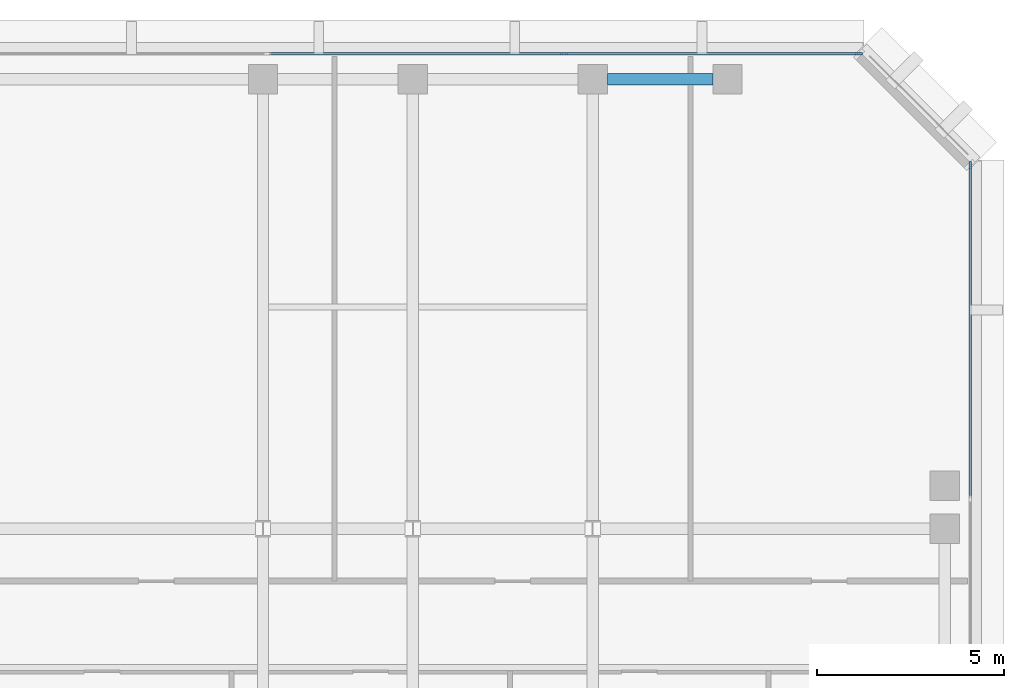
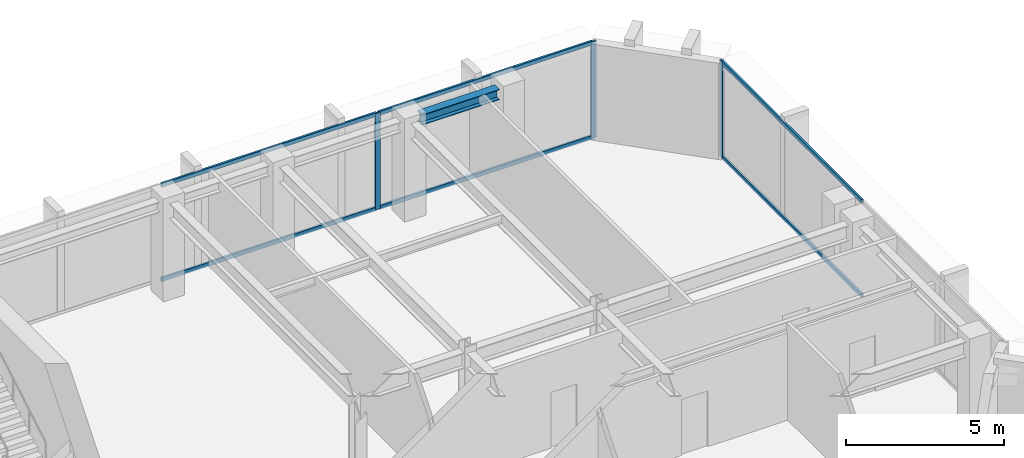
# One storey, part 5 of 12: 9 members, 1 beam, 2 elements without a shape of their own.
"""IFC4 building model written with IfcOpenShell, lengths in metres."""

import ifcopenshell
import ifcopenshell.guid

model = None  # the IFC model being written
_history = None  # IfcOwnerHistory: only IFC2X3 demands one
_inside = {}  # id of a spatial element -> (the spatial element, [elements in it])
_under = {}  # id of a project, library or spatial element -> (it, [spatial elements below it])
_declared = {}  # id of a project -> (the project, [libraries it declares])
_typed = {}  # id of a type object -> (the type object, [elements of that type])
_made_of = {}  # id of a material, layer set ... -> (it, [elements and type objects made of it])


def new_model(schema):
    """Start an empty IFC model of exactly this schema.

    Asked for "IFC4X3", IfcOpenShell would pick the latest addendum, in which some entities
    have other attributes; the version numbers below select the first issue.
    IFC2X3 requires an IfcOwnerHistory on every rooted entity: one is made here for all.
    """
    global model, _history
    if schema == "IFC4X3":
        model = ifcopenshell.file(schema_version=(4, 3, 0, 0))
    else:
        model = ifcopenshell.file(schema=schema)
    _inside.clear()
    _under.clear()
    _declared.clear()
    _typed.clear()
    _made_of.clear()
    _history = None
    if model.schema == "IFC2X3":
        org = make("IfcOrganization", Name="unknown")
        user = make(
            "IfcPersonAndOrganization",
            ThePerson=make("IfcPerson", FamilyName="unknown"),
            TheOrganization=org,
        )
        app = make(
            "IfcApplication",
            ApplicationDeveloper=org,
            Version="unknown",
            ApplicationFullName="unknown",
            ApplicationIdentifier="unknown",
        )
        _history = make(
            "IfcOwnerHistory",
            OwningUser=user,
            OwningApplication=app,
            ChangeAction="ADDED",
            CreationDate=0,
        )
    return model


def make(cls, **values):
    """One entity of the class cls with the attributes given. An attribute that is None is left unset."""
    return model.create_entity(
        cls, **{name: value for name, value in values.items() if value is not None}
    )


def rooted(cls, **values):
    """An entity with a GlobalId (a new one), such as an element, a storey or a relation."""
    return make(cls, GlobalId=ifcopenshell.guid.new(), OwnerHistory=_history, **values)


def si_unit(unit_type, name, prefix=None):
    """IfcSIUnit, for example si_unit("LENGTHUNIT", "METRE", prefix="MILLI")."""
    return make("IfcSIUnit", UnitType=unit_type, Prefix=prefix, Name=name)


def assignment(units):
    """IfcUnitAssignment: the units of a project."""
    return None if units is None else make("IfcUnitAssignment", Units=units)


def point(xyz):
    """IfcCartesianPoint."""
    return None if xyz is None else make("IfcCartesianPoint", Coordinates=xyz)


def direction(xyz):
    """IfcDirection."""
    return None if xyz is None else make("IfcDirection", DirectionRatios=xyz)


def frame(location, z_axis=None, x_axis=None):
    """IfcAxis2Placement3D, a coordinate frame: its origin and axes. An axis left out is left unset."""
    return make(
        "IfcAxis2Placement3D",
        Location=point(location),
        Axis=direction(z_axis),
        RefDirection=direction(x_axis),
    )


def frame_2d(location, x_axis=None):
    """IfcAxis2Placement2D, a coordinate frame in the plane: its origin and x axis."""
    return make(
        "IfcAxis2Placement2D", Location=point(location), RefDirection=direction(x_axis)
    )


def origin():
    """The frame at (0, 0, 0) with its axes left unset."""
    return frame((0.0, 0.0, 0.0))


def origin_2d():
    """The frame at (0, 0) in the plane with its x axis left unset."""
    return frame_2d((0.0, 0.0))


def place(relative_to, where):
    """IfcLocalPlacement: puts the frame where relative to a parent placement (None: the world)."""
    return make(
        "IfcLocalPlacement", PlacementRelTo=relative_to, RelativePlacement=where
    )


def context(
    kind, dimensions, precision=None, world=None, true_north=None, identifier=None
):
    """IfcGeometricRepresentationContext, for example the 3D "Model" context."""
    return make(
        "IfcGeometricRepresentationContext",
        ContextIdentifier=identifier,
        ContextType=kind,
        CoordinateSpaceDimension=dimensions,
        Precision=precision,
        WorldCoordinateSystem=world,
        TrueNorth=true_north,
    )


def subcontext(parent, identifier, kind, view, scale=None):
    """IfcGeometricRepresentationSubContext, for example "Body" below "Model"."""
    return make(
        "IfcGeometricRepresentationSubContext",
        ContextIdentifier=identifier,
        ContextType=kind,
        ParentContext=parent,
        TargetScale=scale,
        TargetView=view,
    )


def project(units=None, contexts=None):
    """IfcProject with its units and contexts."""
    return rooted(
        "IfcProject",
        Name="project",
        RepresentationContexts=contexts,
        UnitsInContext=assignment(units),
    )


def spatial(cls, under=None, at=None, **own):
    """A site, building, storey or space (cls), placed at a placement, below another one or the project."""
    s = rooted(cls, ObjectPlacement=at, **own)
    if under is not None:
        _under.setdefault(under.id(), (under, []))[1].append(s)
    return s


def profile(cls, at=None, kind="AREA", **sizes):
    """A parametric profile (cls). Its sizes go by their IFC names, for example OverallWidth=200.0."""
    return make(cls, ProfileType=kind, Position=at, **sizes)


def rectangle(**sizes):
    """IfcRectangleProfileDef."""
    return profile("IfcRectangleProfileDef", **sizes)


def i_section(**sizes):
    """IfcIShapeProfileDef."""
    return profile("IfcIShapeProfileDef", **sizes)


def extrude(swept, where, along, depth):
    """IfcExtrudedAreaSolid: the profile swept, set in the frame where, extruded along a direction by depth."""
    return make(
        "IfcExtrudedAreaSolid",
        SweptArea=swept,
        Position=where,
        ExtrudedDirection=direction(along),
        Depth=depth,
    )


def shape(context_of_items, identifier, shape_type, items):
    """IfcShapeRepresentation: the items that make up one representation, for example the "Body"."""
    return make(
        "IfcShapeRepresentation",
        ContextOfItems=context_of_items,
        RepresentationIdentifier=identifier,
        RepresentationType=shape_type,
        Items=items,
    )


def material(Name=None, Category=None):
    """IfcMaterial."""
    return make("IfcMaterial", Name=Name, Category=Category)


def layer(
    of_material, thickness, ventilated=None, Name=None, Category=None, Priority=None
):
    """IfcMaterialLayer: one layer of a wall or slab, of a material (None: an air gap)."""
    return make(
        "IfcMaterialLayer",
        Material=of_material,
        LayerThickness=thickness,
        IsVentilated=ventilated,
        Name=Name,
        Category=Category,
        Priority=Priority,
    )


def layer_set(layers, Name=None):
    """IfcMaterialLayerSet."""
    return make("IfcMaterialLayerSet", MaterialLayers=layers, LayerSetName=Name)


def material_profile(
    of_material, cross_section, Name=None, Category=None, Priority=None
):
    """IfcMaterialProfile: a cross section and its material."""
    return make(
        "IfcMaterialProfile",
        Name=Name,
        Material=of_material,
        Profile=cross_section,
        Priority=Priority,
        Category=Category,
    )


def profile_set(profiles, Name=None, composite=None):
    """IfcMaterialProfileSet."""
    return make(
        "IfcMaterialProfileSet",
        Name=Name,
        MaterialProfiles=profiles,
        CompositeProfile=composite,
    )


def made_of(thing, what):
    """Note that an element or type object is made of a material, layer set ...; save() writes the relation."""
    if what is not None:
        _made_of.setdefault(what.id(), (what, []))[1].append(thing)
    return thing


def type_object(cls, material=None, **own):
    """A type object (cls), such as IfcWallType, which elements share."""
    return made_of(rooted(cls, **own), material)


def element(
    cls,
    number,
    at=None,
    inside=None,
    cuts=None,
    type_object=None,
    material=None,
    context=None,
    identifier="Body",
    shape_type=None,
    held_by="IfcProductDefinitionShape",
    body=None,
    shapes=None,
    **own,
):
    """One element of the class cls, such as IfcWall. Its Tag is "e" and its number.

    at: its placement. inside: the storey or other place that contains it. cuts: it is an
    opening in that element (IfcRelVoidsElement). A single representation is given by context,
    identifier, shape_type and body (its items); several are given by shapes. held_by: the class
    of the entity that holds the representations. save() writes the other relations.
    """
    e = rooted(cls, Tag="e%d" % number, ObjectPlacement=at, **own)
    if body is not None:
        shapes = [shape(context, identifier, shape_type, body)]
    if shapes is not None:
        e.Representation = make(held_by, Representations=shapes)
    if inside is not None:
        _inside.setdefault(inside.id(), (inside, []))[1].append(e)
    if cuts is not None:
        rooted(
            "IfcRelVoidsElement", RelatingBuildingElement=cuts, RelatedOpeningElement=e
        )
    if type_object is not None:
        _typed.setdefault(type_object.id(), (type_object, []))[1].append(e)
    return made_of(e, material)


def aggregate(whole, parts):
    """IfcRelAggregates: a whole, such as a stair, and the parts it consists of."""
    return rooted("IfcRelAggregates", RelatingObject=whole, RelatedObjects=parts)


def save(model, path):
    """Write the relations noted so far, then the file.

    IfcRelAggregates (storeys below a building ...), IfcRelContainedInSpatialStructure (elements
    in a storey), IfcRelDefinesByType, IfcRelAssociatesMaterial and IfcRelDeclares: one each for
    every whole, place, type object, material and project.
    """
    for whole, parts in _under.values():
        aggregate(whole, parts)
    for where, things in _inside.values():
        rooted(
            "IfcRelContainedInSpatialStructure",
            RelatedElements=things,
            RelatingStructure=where,
        )
    for kind, things in _typed.values():
        rooted("IfcRelDefinesByType", RelatedObjects=things, RelatingType=kind)
    for what, things in _made_of.values():
        rooted("IfcRelAssociatesMaterial", RelatedObjects=things, RelatingMaterial=what)
    for by, libraries in _declared.values():
        rooted("IfcRelDeclares", RelatingContext=by, RelatedDefinitions=libraries)
    model.write(path)


model = new_model("IFC4")

# Units and contexts
model_context = context("Model", 3, precision=1e-05, world=origin(), true_north=direction((0.0, 1.0)))
body_context = subcontext(model_context, "Body", "Model", "MODEL_VIEW")
ifc_project = project(units=[si_unit("LENGTHUNIT", "METRE"), si_unit("AREAUNIT", "SQUARE_METRE"), si_unit("VOLUMEUNIT", "CUBIC_METRE"), si_unit("PLANEANGLEUNIT", "RADIAN"), si_unit("MASSUNIT", "GRAM", prefix="KILO")], contexts=[model_context])

# Site, building, storey
site_placement = place(None, origin())
site = spatial("IfcSite", under=ifc_project, at=site_placement, CompositionType="ELEMENT")
building_placement = place(site_placement, origin())
building = spatial("IfcBuilding", under=site, at=building_placement, Name="Kefirva Bronze Tower", CompositionType="ELEMENT")
storey_placement = place(building_placement, frame((0.0, 0.0, 256.409912109375)))
storey = spatial("IfcBuildingStorey", under=building, at=storey_placement, Name="L62", CompositionType="ELEMENT", Elevation=256.409912109375)

# Curtain wall, member
ifc_material_1 = material(Name="Bronze anodised aluminium", Category="aluminium")
ifc_layer = layer(ifc_material_1, 0.179931640625, Name="Bronze anodised aluminium")
ifc_layer_set = layer_set([ifc_layer], Name="Bronze anodised aluminium")
curtain_wall_type = type_object("IfcCurtainWallType", Name="Unitised Bronze Ribbon Curtain Wall Zone 3", PredefinedType="USERDEFINED", material=ifc_layer_set)
curtain_wall_1_placement = place(storey_placement, origin())
curtain_wall_1 = element("IfcCurtainWall", 1, at=curtain_wall_1_placement, inside=storey, type_object=curtain_wall_type, Name="L62 Curtain Wall 3", ObjectType="UNITISED CURTAIN WALL", PredefinedType="USERDEFINED")
ifc_material_profile_1 = material_profile(ifc_material_1, rectangle(XDim=0.074951171875, YDim=0.179931640625, at=origin_2d()), Name="ALU 75x180")
ifc_profile_set_1 = profile_set([ifc_material_profile_1], Name="Bronze anodised aluminium")
member_type_1 = type_object("IfcMemberType", Name="Bronze Mullion 75x180", PredefinedType="MULLION", material=ifc_profile_set_1)
member_1_placement = place(storey_placement, frame((50.080078125, 42.907470703125, 0.0), z_axis=(0.0, 0.0, 1.0), x_axis=(-1.0, 0.0, 0.0)))
member_1 = element("IfcMember", 2, at=member_1_placement, type_object=member_type_1, Name="CW-03 mullion 3", PredefinedType="MULLION", context=body_context, shape_type="SweptSolid", body=[
    extrude(rectangle(XDim=0.074951171875, YDim=0.179931640625, at=origin_2d()), origin(), (0.0, 0.0, 1.0), 3.710205078125),
])

# Curtain wall, members
curtain_wall_2_placement = place(storey_placement, origin())
curtain_wall_2 = element("IfcCurtainWall", 3, at=curtain_wall_2_placement, inside=storey, type_object=curtain_wall_type, Name="L62 Curtain Wall 4", ObjectType="UNITISED CURTAIN WALL", PredefinedType="USERDEFINED")
member_2_placement = place(storey_placement, frame((47.107421875, 45.8798828125, 0.0), z_axis=(0.0, 0.0, 1.0), x_axis=(0.0, -1.0, 0.0)))
member_2 = element("IfcMember", 4, at=member_2_placement, type_object=member_type_1, Name="CW-03 mullion 1", PredefinedType="MULLION", context=body_context, shape_type="SweptSolid", body=[
    extrude(rectangle(XDim=0.074951171875, YDim=0.179931640625, at=origin_2d()), origin(), (0.0, 0.0, 1.0), 3.710205078125),
])
member_3_placement = place(storey_placement, frame((39.231689453125, 45.8798828125, 0.0), z_axis=(0.0, 0.0, 1.0), x_axis=(0.0, -1.0, 0.0)))
member_3 = element("IfcMember", 5, at=member_3_placement, type_object=member_type_1, Name="CW-03 mullion 2", PredefinedType="MULLION", context=body_context, shape_type="SweptSolid", body=[
    extrude(rectangle(XDim=0.074951171875, YDim=0.179931640625, at=origin_2d()), origin(), (0.0, 0.0, 1.0), 3.710205078125),
])

# Member
ifc_material_profile_2 = material_profile(ifc_material_1, rectangle(XDim=0.074951171875, YDim=0.14990234375, at=origin_2d()), Name="ALU 75x150")
ifc_profile_set_2 = profile_set([ifc_material_profile_2], Name="Bronze anodised aluminium")
member_type_2 = type_object("IfcMemberType", Name="Bronze Transom 75x150", PredefinedType="USERDEFINED", material=ifc_profile_set_2)
member_4_placement = place(storey_placement, frame((50.080078125, 34.03759765625, 0.03759765625), z_axis=(0.0, 1.0, 0.0), x_axis=(-1.0, 0.0, 0.0)))
member_4 = element("IfcMember", 6, at=member_4_placement, type_object=member_type_2, Name="CW-03 transom 2.1", ObjectType="TRANSOM", PredefinedType="USERDEFINED", context=body_context, shape_type="SweptSolid", body=[
    extrude(rectangle(XDim=0.074951171875, YDim=0.14990234375, at=origin_2d()), origin(), (0.0, 0.0, 1.0), 8.83251953125),
])

member_5_placement = place(storey_placement, frame((50.080078125, 34.03759765625, 3.672607421875), z_axis=(0.0, 1.0, 0.0), x_axis=(-1.0, 0.0, 0.0)))
member_5 = element("IfcMember", 7, at=member_5_placement, type_object=member_type_2, Name="CW-03 transom 2.2", ObjectType="TRANSOM", PredefinedType="USERDEFINED", context=body_context, shape_type="SweptSolid", body=[
    extrude(rectangle(XDim=0.074951171875, YDim=0.14990234375, at=origin_2d()), origin(), (0.0, 0.0, 1.0), 8.83251953125),
])

aggregate(curtain_wall_1, [member_1, member_4, member_5])

member_6_placement = place(storey_placement, frame((47.070068359375, 45.8798828125, 0.03759765625), z_axis=(-1.0, 0.0, 0.0), x_axis=(0.0, -1.0, 0.0)))
member_6 = element("IfcMember", 8, at=member_6_placement, type_object=member_type_2, Name="CW-03 transom 1.1", ObjectType="TRANSOM", PredefinedType="USERDEFINED", context=body_context, shape_type="SweptSolid", body=[
    extrude(rectangle(XDim=0.074951171875, YDim=0.14990234375, at=origin_2d()), origin(), (0.0, 0.0, 1.0), 7.80078125),
])

member_7_placement = place(storey_placement, frame((47.070068359375, 45.8798828125, 3.672607421875), z_axis=(-1.0, 0.0, 0.0), x_axis=(0.0, -1.0, 0.0)))
member_7 = element("IfcMember", 9, at=member_7_placement, type_object=member_type_2, Name="CW-03 transom 1.2", ObjectType="TRANSOM", PredefinedType="USERDEFINED", context=body_context, shape_type="SweptSolid", body=[
    extrude(rectangle(XDim=0.074951171875, YDim=0.14990234375, at=origin_2d()), origin(), (0.0, 0.0, 1.0), 7.80078125),
])

member_8_placement = place(storey_placement, frame((39.194091796875, 45.8798828125, 0.03759765625), z_axis=(-1.0, 0.0, 0.0), x_axis=(0.0, -1.0, 0.0)))
member_8 = element("IfcMember", 10, at=member_8_placement, type_object=member_type_2, Name="CW-03 transom 2.1", ObjectType="TRANSOM", PredefinedType="USERDEFINED", context=body_context, shape_type="SweptSolid", body=[
    extrude(rectangle(XDim=0.074951171875, YDim=0.14990234375, at=origin_2d()), origin(), (0.0, 0.0, 1.0), 7.83837890625),
])

member_9_placement = place(storey_placement, frame((39.194091796875, 45.8798828125, 3.672607421875), z_axis=(-1.0, 0.0, 0.0), x_axis=(0.0, -1.0, 0.0)))
member_9 = element("IfcMember", 11, at=member_9_placement, type_object=member_type_2, Name="CW-03 transom 2.2", ObjectType="TRANSOM", PredefinedType="USERDEFINED", context=body_context, shape_type="SweptSolid", body=[
    extrude(rectangle(XDim=0.074951171875, YDim=0.14990234375, at=origin_2d()), origin(), (0.0, 0.0, 1.0), 7.83837890625),
])

aggregate(curtain_wall_2, [member_2, member_3, member_6, member_7, member_8, member_9])

# Beam
ifc_material_2 = material(Name="Steel S355", Category="steel")
ifc_material_profile_3 = material_profile(ifc_material_2, i_section(OverallWidth=0.300048828125, OverallDepth=0.39990234375, WebThickness=0.013427734375, FlangeThickness=0.02392578125, at=origin_2d()), Name="HEB 400")
ifc_profile_set_3 = profile_set([ifc_material_profile_3], Name="Steel S355")
beam_type = type_object("IfcBeamType", Name="Steel Spandrel HEB 400 Ext", PredefinedType="SPANDREL", material=ifc_profile_set_3)
beam_placement = place(storey_placement, frame((40.389892578125, 45.199951171875, 3.510009765625), z_axis=(1.0, 0.0, 0.0), x_axis=(0.0, 1.0, 0.0)))
element("IfcBeam", 12, at=beam_placement, inside=storey, type_object=beam_type, Name="L62 BM-L62-EW-40-452", PredefinedType="SPANDREL", context=body_context, shape_type="SweptSolid", body=[
    extrude(i_section(OverallWidth=0.300048828125, OverallDepth=0.39990234375, WebThickness=0.013427734375, FlangeThickness=0.02392578125, at=origin_2d()), origin(), (0.0, 0.0, 1.0), 2.820068359375),
])

save(model, "model.ifc")
